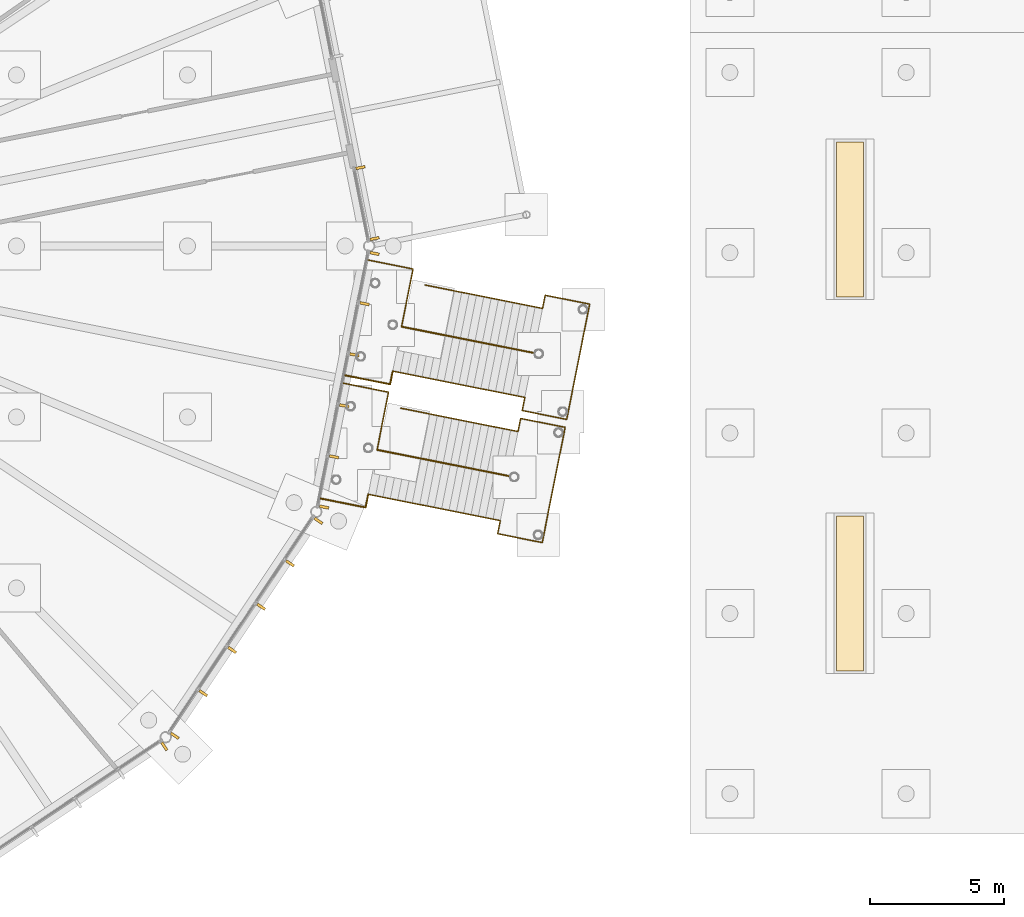
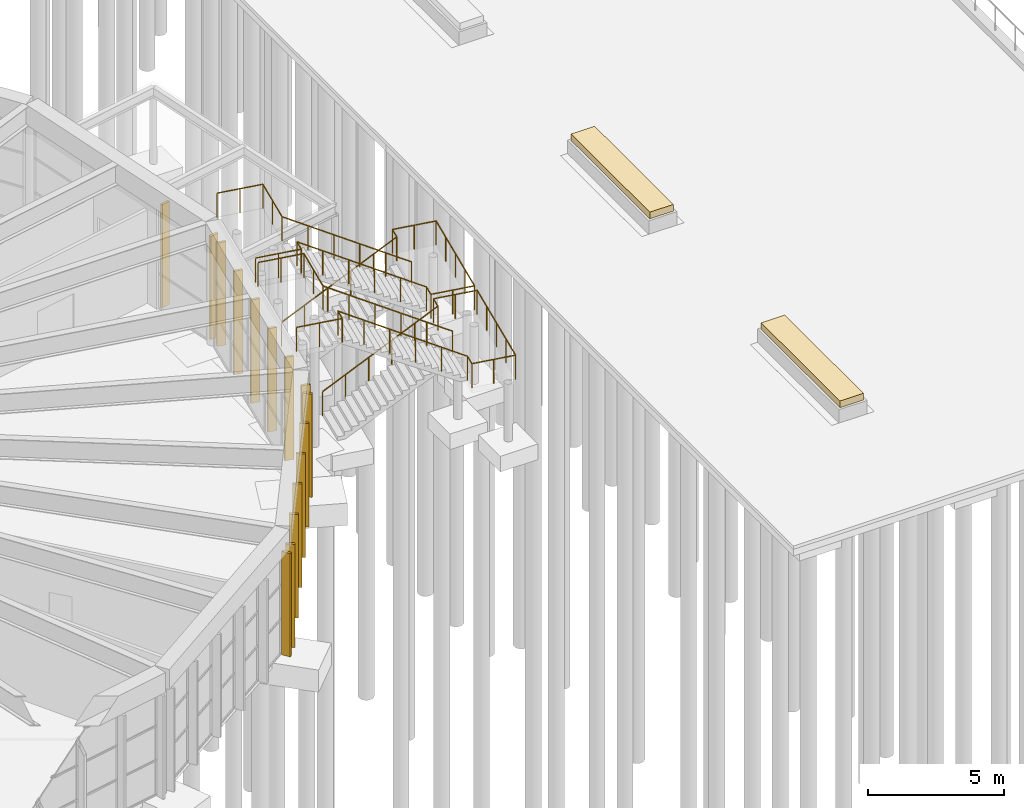
# One storey, part 218 of 226: 17 coverings, 8 railings.
"""IFC4 building model written with IfcOpenShell, lengths in metres."""

from ifc_helpers import new_model, si_unit, direction, frame, origin, origin_2d, place, context, subcontext, project, spatial, polyline, rectangle, circle, outline, extrude, material, layer, layer_set, type_object, element, save


model = new_model("IFC4")

# Units and contexts
model_context = context("Model", 3, precision=1e-05, world=origin(), true_north=direction((0.0, 1.0)))
body_context = subcontext(model_context, "Body", "Model", "MODEL_VIEW")
ifc_project = project(units=[si_unit("LENGTHUNIT", "METRE"), si_unit("AREAUNIT", "SQUARE_METRE"), si_unit("VOLUMEUNIT", "CUBIC_METRE"), si_unit("PLANEANGLEUNIT", "RADIAN"), si_unit("MASSUNIT", "GRAM", prefix="KILO")], contexts=[model_context])

# Site, building, storey
site_placement = place(None, origin())
site = spatial("IfcSite", under=ifc_project, at=site_placement, CompositionType="ELEMENT")
building_placement = place(site_placement, origin())
building = spatial("IfcBuilding", under=site, at=building_placement, Name="Ceibo Conservatory and Research Tower", CompositionType="ELEMENT")
storey_placement = place(building_placement, origin())
storey = spatial("IfcBuildingStorey", under=building, at=storey_placement, Name="L00", CompositionType="ELEMENT", Elevation=0.0)

# Coverings
ifc_material_1 = material(Name="Ceramic")
ifc_layer_1 = layer(ifc_material_1, 0.10009765625)
ifc_layer_set_1 = layer_set([ifc_layer_1], Name="Ceramic")
covering_type_1 = type_object("IfcCoveringType", Name="Ceramic fin 100 x 350", PredefinedType="CLADDING", material=ifc_layer_set_1)
for number, where, z_axis, x_axis, name in (
    (1, (194.20458984375, 36.278564453125, 0.0), (0.0, 0.0, 1.0), (0.195090065247, -0.980785331478, 0.0), "Ceramic fin 1.1"),
    (2, (193.676025390625, 38.935546875, 0.0), (0.0, 0.0, 1.0), (0.195090065247, -0.980785331478, 0.0), "Ceramic fin 1.2"),
    (3, (186.33251953125, 17.273681640625, 0.0), (0.0, 0.0, 1.0), (-0.831469835323, -0.555569899246, 0.0), "Ceramic fin 14.42"),
    (4, (186.726318359375, 17.66748046875, 0.0), (0.0, 0.0, 1.0), (-0.555569899246, -0.831469835323, 0.0), "Ceramic fin 15.43"),
    (5, (187.791748046875, 19.261962890625, 0.0), (0.0, 0.0, 1.0), (-0.555569899246, -0.831469835323, 0.0), "Ceramic fin 15.44"),
    (6, (188.873779296875, 20.88134765625, 0.0), (0.0, 0.0, 1.0), (-0.555569899246, -0.831469835323, 0.0), "Ceramic fin 15.45"),
    (7, (189.955810546875, 22.500732421875, 0.0), (0.0, 0.0, 1.0), (-0.555569899246, -0.831469835323, 0.0), "Ceramic fin 15.46"),
    (8, (191.037841796875, 24.1201171875, 0.0), (0.0, 0.0, 1.0), (-0.555569899246, -0.831469835323, 0.0), "Ceramic fin 15.47"),
    (9, (192.103271484375, 25.714599609375, 0.0), (0.0, 0.0, 1.0), (-0.555569899246, -0.831469835323, 0.0), "Ceramic fin 15.48"),
    (10, (192.31640625, 26.229248046875, 0.0), (0.0, 0.0, 1.0), (-0.195090065247, -0.980785331478, 0.0), "Ceramic fin 16.49"),
    (11, (192.690673828125, 28.110107421875, 0.0), (0.0, 0.0, 1.0), (-0.195090065247, -0.980785331478, 0.0), "Ceramic fin 16.50"),
    (12, (193.070556640625, 30.020263671875, 0.0), (0.0, 0.0, 1.0), (-0.195090065247, -0.980785331478, 0.0), "Ceramic fin 16.51"),
    (13, (193.450439453125, 31.930419921875, 0.0), (0.0, 0.0, 1.0), (-0.195090065247, -0.980785331478, 0.0), "Ceramic fin 16.52"),
    (14, (193.83056640625, 33.8408203125, 0.0), (0.0, 0.0, 1.0), (-0.195090065247, -0.980785331478, 0.0), "Ceramic fin 16.53"),
    (15, (194.20458984375, 35.721435546875, 0.0), (0.0, 0.0, 1.0), (-0.195090065247, -0.980785331478, 0.0), "Ceramic fin 16.54"),
):
    element("IfcCovering", number, at=place(storey_placement, frame(where, z_axis=z_axis, x_axis=x_axis)), inside=storey, type_object=covering_type_1, Name=name, PredefinedType="CLADDING", context=body_context, shape_type="SweptSolid", body=[
        extrude(rectangle(XDim=0.10009765625, YDim=0.35009765625, at=origin_2d()), origin(), (0.0, 0.0, 1.0), 4.64892578125),
    ])

# Railings
ifc_material_2 = material(Name="Stainless steel AISI 316", Category="steel")
railing_type = type_object("IfcRailingType", Name="External stair guard 1100", PredefinedType="GUARDRAIL", material=ifc_material_2)
railing_1_placement = place(storey_placement, frame((192.122802734375, 26.5625, 6.0)))
element("IfcRailing", 16, at=railing_1_placement, inside=storey, type_object=railing_type, Name="External stair 1 guard TOP-A", PredefinedType="GUARDRAIL", context=body_context, shape_type="SweptSolid", body=[
    extrude(circle(Radius=0.02392578125, at=origin_2d()), frame((0.0, 0.0, 1.076171875), z_axis=(0.980796362477, -0.195034600397, 0.0), x_axis=(0.195034600397, 0.980796362477, 0.0)), (0.0, 0.0, 1.0), 1.780029296875),
    extrude(circle(Radius=0.02392578125, at=origin_2d()), frame((1.745849609375, -0.34716796875, 1.076171875), z_axis=(0.194801508812, 0.980842684718, 0.0), x_axis=(-0.980842684718, 0.194801508812, 0.0)), (0.0, 0.0, 1.0), 0.5),
    extrude(circle(Radius=0.02099609375, at=origin_2d()), origin(), (0.0, 0.0, 1.0), 1.052001953125),
    extrude(circle(Radius=0.02099609375, at=origin_2d()), frame((0.873046875, -0.173583984375, 0.0)), (0.0, 0.0, 1.0), 1.052001953125),
    extrude(circle(Radius=0.02099609375, at=origin_2d()), frame((1.745849609375, -0.34716796875, 0.0)), (0.0, 0.0, 1.0), 1.052001953125),
    extrude(circle(Radius=0.02099609375, at=origin_2d()), frame((1.84326171875, 0.143310546875, 0.0)), (0.0, 0.0, 1.0), 1.052001953125),
])
railing_2_placement = place(storey_placement, frame((192.981201171875, 30.8779296875, 6.0)))
element("IfcRailing", 17, at=railing_2_placement, inside=storey, type_object=railing_type, Name="External stair 1 guard TOP-B", PredefinedType="GUARDRAIL", context=body_context, shape_type="SweptSolid", body=[
    extrude(circle(Radius=0.02392578125, at=origin_2d()), frame((0.0, 0.0, 1.076171875), z_axis=(0.980796362477, -0.195034600397, 0.0), x_axis=(0.195034600397, 0.980796362477, 0.0)), (0.0, 0.0, 1.0), 1.780029296875),
    extrude(circle(Radius=0.02392578125, at=origin_2d()), frame((1.745849609375, -0.34716796875, 1.076171875), z_axis=(-0.195091656081, -0.98078501504, 0.0), x_axis=(0.98078501504, -0.195091656081, 0.0)), (0.0, 0.0, 1.0), 2.199951171875),
    extrude(circle(Radius=0.02099609375, at=origin_2d()), origin(), (0.0, 0.0, 1.0), 1.052001953125),
    extrude(circle(Radius=0.02099609375, at=origin_2d()), frame((0.873046875, -0.173583984375, 0.0)), (0.0, 0.0, 1.0), 1.052001953125),
    extrude(circle(Radius=0.02099609375, at=origin_2d()), frame((1.745849609375, -0.34716796875, 0.0)), (0.0, 0.0, 1.0), 1.052001953125),
    extrude(circle(Radius=0.02099609375, at=origin_2d()), frame((1.53125, -1.426025390625, 0.0)), (0.0, 0.0, 1.0), 1.052001953125),
    extrude(circle(Radius=0.02099609375, at=origin_2d()), frame((1.316650390625, -2.5048828125, 0.0)), (0.0, 0.0, 1.0), 1.052001953125),
])
railing_3_placement = place(storey_placement, frame((193.966064453125, 26.705810546875, 6.0)))
element("IfcRailing", 18, at=railing_3_placement, inside=storey, type_object=railing_type, Name="External stair 1 guard RUN", PredefinedType="GUARDRAIL", context=body_context, shape_type="SweptSolid", body=[
    extrude(circle(Radius=0.02392578125, at=origin_2d()), frame((0.0, 0.0, 1.076171875), z_axis=(0.830456076221, -0.165213467428, -0.532021818771), x_axis=(0.19511927258, 0.980779521334, 0.0)), (0.0, 0.0, 1.0), 5.952392578125),
    extrude(circle(Radius=0.02392578125, at=origin_2d()), frame((4.943115234375, -0.9833984375, -2.0908203125), z_axis=(-0.194801508812, -0.980842684718, 0.0), x_axis=(0.980842684718, -0.194801508812, 0.0)), (0.0, 0.0, 1.0), 0.5),
    extrude(circle(Radius=0.02392578125, at=origin_2d()), frame((4.845703125, -1.473876953125, -2.0908203125), z_axis=(0.980795517252, -0.195038850846, 0.0), x_axis=(0.195038850846, 0.980795517252, 0.0)), (0.0, 0.0, 1.0), 1.699951171875),
    extrude(circle(Radius=0.02392578125, at=origin_2d()), frame((6.512939453125, -1.805419921875, -2.0908203125), z_axis=(0.195091656081, 0.98078501504, 0.0), x_axis=(-0.98078501504, 0.195091656081, 0.0)), (0.0, 0.0, 1.0), 4.39990234375),
    extrude(circle(Radius=0.02392578125, at=origin_2d()), frame((7.371337890625, 2.510009765625, -2.0908203125), z_axis=(-0.98076803435, 0.195177003761, 0.0), x_axis=(-0.195177003761, -0.98076803435, 0.0)), (0.0, 0.0, 1.0), 1.699951171875),
    extrude(circle(Radius=0.02392578125, at=origin_2d()), frame((5.7041015625, 2.841796875, -2.0908203125), z_axis=(-0.195271139137, -0.980749296314, 0.0), x_axis=(0.980749296314, -0.195271139137, 0.0)), (0.0, 0.0, 1.0), 0.5),
    extrude(circle(Radius=0.02392578125, at=origin_2d()), frame((5.6064453125, 2.351318359375, -2.0908203125), z_axis=(-0.828919770446, 0.164890413858, -0.534512081793), x_axis=(-0.195099450104, -0.98078346467, 0.0)), (0.0, 0.0, 1.0), 5.300537109375),
    extrude(circle(Radius=0.02099609375, at=origin_2d()), origin(), (0.0, 0.0, 1.0), 1.052001953125),
    extrude(circle(Radius=0.02099609375, at=origin_2d()), frame((0.988525390625, -0.19677734375, -0.63330078125)), (0.0, 0.0, 1.0), 1.052001953125),
    extrude(circle(Radius=0.02099609375, at=origin_2d()), frame((1.977294921875, -0.393310546875, -1.2666015625)), (0.0, 0.0, 1.0), 1.052001953125),
    extrude(circle(Radius=0.02099609375, at=origin_2d()), frame((2.9658203125, -0.590087890625, -1.900146484375)), (0.0, 0.0, 1.0), 1.052001953125),
    extrude(circle(Radius=0.02099609375, at=origin_2d()), frame((3.95458984375, -0.78662109375, -2.533447265625)), (0.0, 0.0, 1.0), 1.052001953125),
    extrude(circle(Radius=0.02099609375, at=origin_2d()), frame((4.943115234375, -0.9833984375, -3.166748046875)), (0.0, 0.0, 1.0), 1.052001953125),
    extrude(circle(Radius=0.02099609375, at=origin_2d()), frame((4.845703125, -1.473876953125, -3.166748046875)), (0.0, 0.0, 1.0), 1.052001953125),
    extrude(circle(Radius=0.02099609375, at=origin_2d()), frame((5.67919921875, -1.6396484375, -3.166748046875)), (0.0, 0.0, 1.0), 1.052001953125),
    extrude(circle(Radius=0.02099609375, at=origin_2d()), frame((6.512939453125, -1.805419921875, -3.166748046875)), (0.0, 0.0, 1.0), 1.052001953125),
    extrude(circle(Radius=0.02099609375, at=origin_2d()), frame((6.7275390625, -0.7265625, -3.166748046875)), (0.0, 0.0, 1.0), 1.052001953125),
    extrude(circle(Radius=0.02099609375, at=origin_2d()), frame((6.942138671875, 0.352294921875, -3.166748046875)), (0.0, 0.0, 1.0), 1.052001953125),
    extrude(circle(Radius=0.02099609375, at=origin_2d()), frame((7.15673828125, 1.43115234375, -3.166748046875)), (0.0, 0.0, 1.0), 1.052001953125),
    extrude(circle(Radius=0.02099609375, at=origin_2d()), frame((7.371337890625, 2.510009765625, -3.166748046875)), (0.0, 0.0, 1.0), 1.052001953125),
    extrude(circle(Radius=0.02099609375, at=origin_2d()), frame((6.53759765625, 2.67578125, -3.166748046875)), (0.0, 0.0, 1.0), 1.052001953125),
    extrude(circle(Radius=0.02099609375, at=origin_2d()), frame((5.7041015625, 2.841796875, -3.166748046875)), (0.0, 0.0, 1.0), 1.052001953125),
    extrude(circle(Radius=0.02099609375, at=origin_2d()), frame((5.6064453125, 2.351318359375, -3.166748046875)), (0.0, 0.0, 1.0), 1.052001953125),
    extrude(circle(Radius=0.02099609375, at=origin_2d()), frame((4.727783203125, 2.526123046875, -3.7333984375)), (0.0, 0.0, 1.0), 1.052001953125),
    extrude(circle(Radius=0.02099609375, at=origin_2d()), frame((3.848876953125, 2.700927734375, -4.300048828125)), (0.0, 0.0, 1.0), 1.052001953125),
    extrude(circle(Radius=0.02099609375, at=origin_2d()), frame((2.97021484375, 2.875732421875, -4.86669921875)), (0.0, 0.0, 1.0), 1.052001953125),
    extrude(circle(Radius=0.02099609375, at=origin_2d()), frame((2.09130859375, 3.050537109375, -5.433349609375)), (0.0, 0.0, 1.0), 1.052001953125),
    extrude(circle(Radius=0.02099609375, at=origin_2d()), frame((1.212646484375, 3.225341796875, -6.0)), (0.0, 0.0, 1.0), 1.052001953125),
])
railing_4_placement = place(storey_placement, frame((194.2978515625, 28.373046875, 6.0)))
element("IfcRailing", 19, at=railing_4_placement, inside=storey, type_object=railing_type, Name="External stair 1 guard MID", PredefinedType="GUARDRAIL", context=body_context, shape_type="SweptSolid", body=[
    extrude(circle(Radius=0.02392578125, at=origin_2d()), frame((0.0, 0.0, 1.076171875), z_axis=(0.830461703113, -0.165173570328, -0.532025423573), x_axis=(0.1950726754, 0.980788790368, 0.0)), (0.0, 0.0, 1.0), 5.9521484375),
    extrude(circle(Radius=0.02099609375, at=origin_2d()), origin(), (0.0, 0.0, 1.0), 1.052001953125),
    extrude(circle(Radius=0.02099609375, at=origin_2d()), frame((0.988525390625, -0.196533203125, -0.63330078125)), (0.0, 0.0, 1.0), 1.052001953125),
    extrude(circle(Radius=0.02099609375, at=origin_2d()), frame((1.977294921875, -0.393310546875, -1.2666015625)), (0.0, 0.0, 1.0), 1.052001953125),
    extrude(circle(Radius=0.02099609375, at=origin_2d()), frame((2.9658203125, -0.58984375, -1.900146484375)), (0.0, 0.0, 1.0), 1.052001953125),
    extrude(circle(Radius=0.02099609375, at=origin_2d()), frame((3.95458984375, -0.78662109375, -2.533447265625)), (0.0, 0.0, 1.0), 1.052001953125),
    extrude(circle(Radius=0.02099609375, at=origin_2d()), frame((4.943115234375, -0.983154296875, -3.166748046875)), (0.0, 0.0, 1.0), 1.052001953125),
])
railing_5_placement = place(storey_placement, frame((193.039794921875, 31.172119140625, 6.0)))
element("IfcRailing", 20, at=railing_5_placement, inside=storey, type_object=railing_type, Name="External stair 2 guard TOP-A", PredefinedType="GUARDRAIL", context=body_context, shape_type="SweptSolid", body=[
    extrude(circle(Radius=0.02392578125, at=origin_2d()), frame((0.0, 0.0, 1.076171875), z_axis=(0.980791144249, -0.195060840157, 0.0), x_axis=(0.195060840157, 0.980791144249, 0.0)), (0.0, 0.0, 1.0), 1.77978515625),
    extrude(circle(Radius=0.02392578125, at=origin_2d()), frame((1.74560546875, -0.34716796875, 1.076171875), z_axis=(0.195271139137, 0.980749296314, 0.0), x_axis=(-0.980749296314, 0.195271139137, 0.0)), (0.0, 0.0, 1.0), 0.5),
    extrude(circle(Radius=0.02099609375, at=origin_2d()), origin(), (0.0, 0.0, 1.0), 1.052001953125),
    extrude(circle(Radius=0.02099609375, at=origin_2d()), frame((0.872802734375, -0.173583984375, 0.0)), (0.0, 0.0, 1.0), 1.052001953125),
    extrude(circle(Radius=0.02099609375, at=origin_2d()), frame((1.74560546875, -0.34716796875, 0.0)), (0.0, 0.0, 1.0), 1.052001953125),
    extrude(circle(Radius=0.02099609375, at=origin_2d()), frame((1.84326171875, 0.143310546875, 0.0)), (0.0, 0.0, 1.0), 1.052001953125),
])
railing_6_placement = place(storey_placement, frame((193.898193359375, 35.48779296875, 6.0)))
element("IfcRailing", 21, at=railing_6_placement, inside=storey, type_object=railing_type, Name="External stair 2 guard TOP-B", PredefinedType="GUARDRAIL", context=body_context, shape_type="SweptSolid", body=[
    extrude(circle(Radius=0.02392578125, at=origin_2d()), frame((0.0, 0.0, 1.076171875), z_axis=(0.980764892855, -0.195192789166, 0.0), x_axis=(0.195192789166, 0.980764892855, 0.0)), (0.0, 0.0, 1.0), 1.77978515625),
    extrude(circle(Radius=0.02392578125, at=origin_2d()), frame((1.74560546875, -0.347412109375, 1.076171875), z_axis=(-0.195091656081, -0.98078501504, 0.0), x_axis=(0.98078501504, -0.195091656081, 0.0)), (0.0, 0.0, 1.0), 2.199951171875),
    extrude(circle(Radius=0.02099609375, at=origin_2d()), origin(), (0.0, 0.0, 1.0), 1.052001953125),
    extrude(circle(Radius=0.02099609375, at=origin_2d()), frame((0.872802734375, -0.173828125, 0.0)), (0.0, 0.0, 1.0), 1.052001953125),
    extrude(circle(Radius=0.02099609375, at=origin_2d()), frame((1.74560546875, -0.347412109375, 0.0)), (0.0, 0.0, 1.0), 1.052001953125),
    extrude(circle(Radius=0.02099609375, at=origin_2d()), frame((1.531005859375, -1.42626953125, 0.0)), (0.0, 0.0, 1.0), 1.052001953125),
    extrude(circle(Radius=0.02099609375, at=origin_2d()), frame((1.31640625, -2.505126953125, 0.0)), (0.0, 0.0, 1.0), 1.052001953125),
])
railing_7_placement = place(storey_placement, frame((194.883056640625, 31.3154296875, 6.0)))
element("IfcRailing", 22, at=railing_7_placement, inside=storey, type_object=railing_type, Name="External stair 2 guard RUN", PredefinedType="GUARDRAIL", context=body_context, shape_type="SweptSolid", body=[
    extrude(circle(Radius=0.02392578125, at=origin_2d()), frame((0.0, 0.0, 1.076171875), z_axis=(0.830456076221, -0.165213467428, -0.532021818771), x_axis=(0.19511927258, 0.980779521334, 0.0)), (0.0, 0.0, 1.0), 5.952392578125),
    extrude(circle(Radius=0.02392578125, at=origin_2d()), frame((4.943115234375, -0.9833984375, -2.0908203125), z_axis=(-0.194894837467, -0.980824144446, 0.0), x_axis=(0.980824144446, -0.194894837467, 0.0)), (0.0, 0.0, 1.0), 0.499755859375),
    extrude(circle(Radius=0.02392578125, at=origin_2d()), frame((4.845703125, -1.4736328125, -2.0908203125), z_axis=(0.98076803435, -0.195177003761, 0.0), x_axis=(0.195177003761, 0.98076803435, 0.0)), (0.0, 0.0, 1.0), 1.699951171875),
    extrude(circle(Radius=0.02392578125, at=origin_2d()), frame((6.512939453125, -1.805419921875, -2.0908203125), z_axis=(0.195091656081, 0.98078501504, 0.0), x_axis=(-0.98078501504, 0.195091656081, 0.0)), (0.0, 0.0, 1.0), 4.39990234375),
    extrude(circle(Radius=0.02392578125, at=origin_2d()), frame((7.371337890625, 2.510009765625, -2.0908203125), z_axis=(-0.980773504191, 0.195149515695, 0.0), x_axis=(-0.195149515695, -0.980773504191, 0.0)), (0.0, 0.0, 1.0), 1.7001953125),
    extrude(circle(Radius=0.02392578125, at=origin_2d()), frame((5.703857421875, 2.841796875, -2.0908203125), z_axis=(-0.194801508812, -0.980842684718, 0.0), x_axis=(0.980842684718, -0.194801508812, 0.0)), (0.0, 0.0, 1.0), 0.5),
    extrude(circle(Radius=0.02392578125, at=origin_2d()), frame((5.6064453125, 2.351318359375, -2.0908203125), z_axis=(-0.828919770446, 0.164890413858, -0.534512081793), x_axis=(-0.195099450104, -0.98078346467, 0.0)), (0.0, 0.0, 1.0), 5.300537109375),
    extrude(circle(Radius=0.02099609375, at=origin_2d()), origin(), (0.0, 0.0, 1.0), 1.052001953125),
    extrude(circle(Radius=0.02099609375, at=origin_2d()), frame((0.988525390625, -0.19677734375, -0.63330078125)), (0.0, 0.0, 1.0), 1.052001953125),
    extrude(circle(Radius=0.02099609375, at=origin_2d()), frame((1.977294921875, -0.393310546875, -1.2666015625)), (0.0, 0.0, 1.0), 1.052001953125),
    extrude(circle(Radius=0.02099609375, at=origin_2d()), frame((2.9658203125, -0.590087890625, -1.900146484375)), (0.0, 0.0, 1.0), 1.052001953125),
    extrude(circle(Radius=0.02099609375, at=origin_2d()), frame((3.95458984375, -0.78662109375, -2.533447265625)), (0.0, 0.0, 1.0), 1.052001953125),
    extrude(circle(Radius=0.02099609375, at=origin_2d()), frame((4.943115234375, -0.9833984375, -3.166748046875)), (0.0, 0.0, 1.0), 1.052001953125),
    extrude(circle(Radius=0.02099609375, at=origin_2d()), frame((4.845703125, -1.4736328125, -3.166748046875)), (0.0, 0.0, 1.0), 1.052001953125),
    extrude(circle(Radius=0.02099609375, at=origin_2d()), frame((5.67919921875, -1.6396484375, -3.166748046875)), (0.0, 0.0, 1.0), 1.052001953125),
    extrude(circle(Radius=0.02099609375, at=origin_2d()), frame((6.512939453125, -1.805419921875, -3.166748046875)), (0.0, 0.0, 1.0), 1.052001953125),
    extrude(circle(Radius=0.02099609375, at=origin_2d()), frame((6.7275390625, -0.7265625, -3.166748046875)), (0.0, 0.0, 1.0), 1.052001953125),
    extrude(circle(Radius=0.02099609375, at=origin_2d()), frame((6.942138671875, 0.352294921875, -3.166748046875)), (0.0, 0.0, 1.0), 1.052001953125),
    extrude(circle(Radius=0.02099609375, at=origin_2d()), frame((7.15673828125, 1.43115234375, -3.166748046875)), (0.0, 0.0, 1.0), 1.052001953125),
    extrude(circle(Radius=0.02099609375, at=origin_2d()), frame((7.371337890625, 2.510009765625, -3.166748046875)), (0.0, 0.0, 1.0), 1.052001953125),
    extrude(circle(Radius=0.02099609375, at=origin_2d()), frame((6.53759765625, 2.67578125, -3.166748046875)), (0.0, 0.0, 1.0), 1.052001953125),
    extrude(circle(Radius=0.02099609375, at=origin_2d()), frame((5.703857421875, 2.841796875, -3.166748046875)), (0.0, 0.0, 1.0), 1.052001953125),
    extrude(circle(Radius=0.02099609375, at=origin_2d()), frame((5.6064453125, 2.351318359375, -3.166748046875)), (0.0, 0.0, 1.0), 1.052001953125),
    extrude(circle(Radius=0.02099609375, at=origin_2d()), frame((4.727783203125, 2.526123046875, -3.7333984375)), (0.0, 0.0, 1.0), 1.052001953125),
    extrude(circle(Radius=0.02099609375, at=origin_2d()), frame((3.848876953125, 2.700927734375, -4.300048828125)), (0.0, 0.0, 1.0), 1.052001953125),
    extrude(circle(Radius=0.02099609375, at=origin_2d()), frame((2.97021484375, 2.875732421875, -4.86669921875)), (0.0, 0.0, 1.0), 1.052001953125),
    extrude(circle(Radius=0.02099609375, at=origin_2d()), frame((2.09130859375, 3.050537109375, -5.433349609375)), (0.0, 0.0, 1.0), 1.052001953125),
    extrude(circle(Radius=0.02099609375, at=origin_2d()), frame((1.212646484375, 3.225341796875, -6.0)), (0.0, 0.0, 1.0), 1.052001953125),
])
railing_8_placement = place(storey_placement, frame((195.214599609375, 32.982666015625, 6.0)))
element("IfcRailing", 23, at=railing_8_placement, inside=storey, type_object=railing_type, Name="External stair 2 guard MID", PredefinedType="GUARDRAIL", context=body_context, shape_type="SweptSolid", body=[
    extrude(circle(Radius=0.02392578125, at=origin_2d()), frame((0.0, 0.0, 1.076171875), z_axis=(0.830461703113, -0.165173570328, -0.532025423573), x_axis=(0.1950726754, 0.980788790368, 0.0)), (0.0, 0.0, 1.0), 5.9521484375),
    extrude(circle(Radius=0.02099609375, at=origin_2d()), origin(), (0.0, 0.0, 1.0), 1.052001953125),
    extrude(circle(Radius=0.02099609375, at=origin_2d()), frame((0.988525390625, -0.196533203125, -0.63330078125)), (0.0, 0.0, 1.0), 1.052001953125),
    extrude(circle(Radius=0.02099609375, at=origin_2d()), frame((1.977294921875, -0.393310546875, -1.2666015625)), (0.0, 0.0, 1.0), 1.052001953125),
    extrude(circle(Radius=0.02099609375, at=origin_2d()), frame((2.9658203125, -0.58984375, -1.900146484375)), (0.0, 0.0, 1.0), 1.052001953125),
    extrude(circle(Radius=0.02099609375, at=origin_2d()), frame((3.95458984375, -0.78662109375, -2.533447265625)), (0.0, 0.0, 1.0), 1.052001953125),
    extrude(circle(Radius=0.02099609375, at=origin_2d()), frame((4.943115234375, -0.983154296875, -3.166748046875)), (0.0, 0.0, 1.0), 1.052001953125),
])

# Coverings
ifc_material_3 = material(Name="Planting soil")
ifc_layer_2 = layer(ifc_material_3, 0.300048828125)
ifc_layer_set_2 = layer_set([ifc_layer_2], Name="Planting soil")
covering_type_2 = type_object("IfcCoveringType", Name="Planting bed soil 300", PredefinedType="FLOORING", material=ifc_layer_set_2)
covering_1_placement = place(storey_placement, frame((0.0, 0.0, 0.60009765625)))
element("IfcCovering", 24, at=covering_1_placement, inside=storey, type_object=covering_type_2, Name="Planting bed 1", PredefinedType="FLOORING", context=body_context, shape_type="SweptSolid", body=[
    extrude(outline(polyline([(211.5, 20.10009765625), (212.5, 20.10009765625), (212.5, 25.89990234375), (211.5, 25.89990234375), (211.5, 20.10009765625)])), origin(), (0.0, 0.0, 1.0), 0.2998046875),
])
covering_2_placement = place(storey_placement, frame((0.0, 0.0, 0.60009765625)))
element("IfcCovering", 25, at=covering_2_placement, inside=storey, type_object=covering_type_2, Name="Planting bed 2", PredefinedType="FLOORING", context=body_context, shape_type="SweptSolid", body=[
    extrude(outline(polyline([(211.5, 34.10009765625), (212.5, 34.10009765625), (212.5, 39.89990234375), (211.5, 39.89990234375), (211.5, 34.10009765625)])), origin(), (0.0, 0.0, 1.0), 0.2998046875),
])

save(model, "model.ifc")
